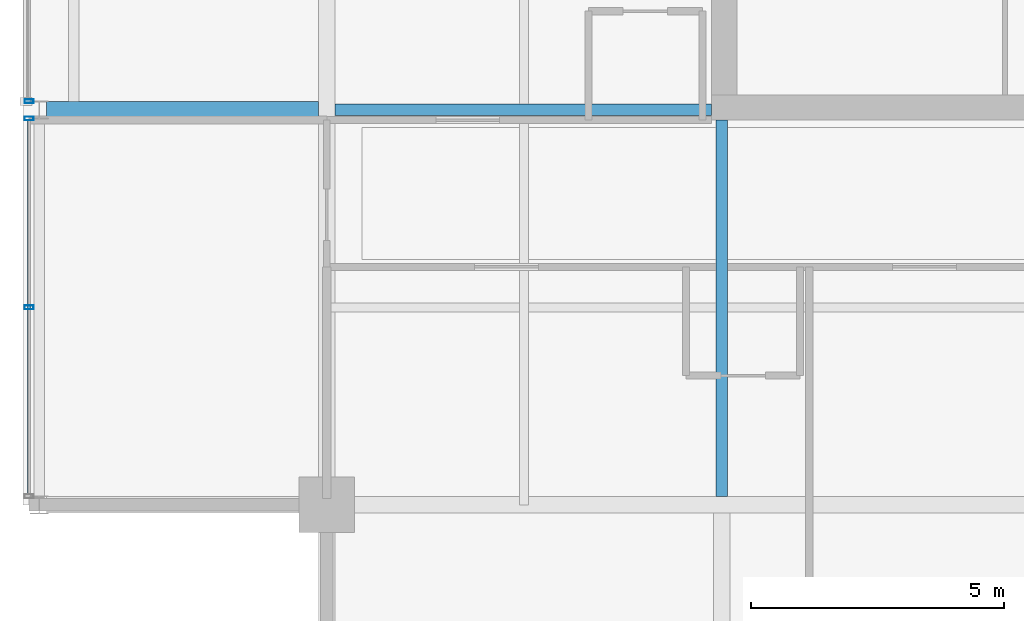
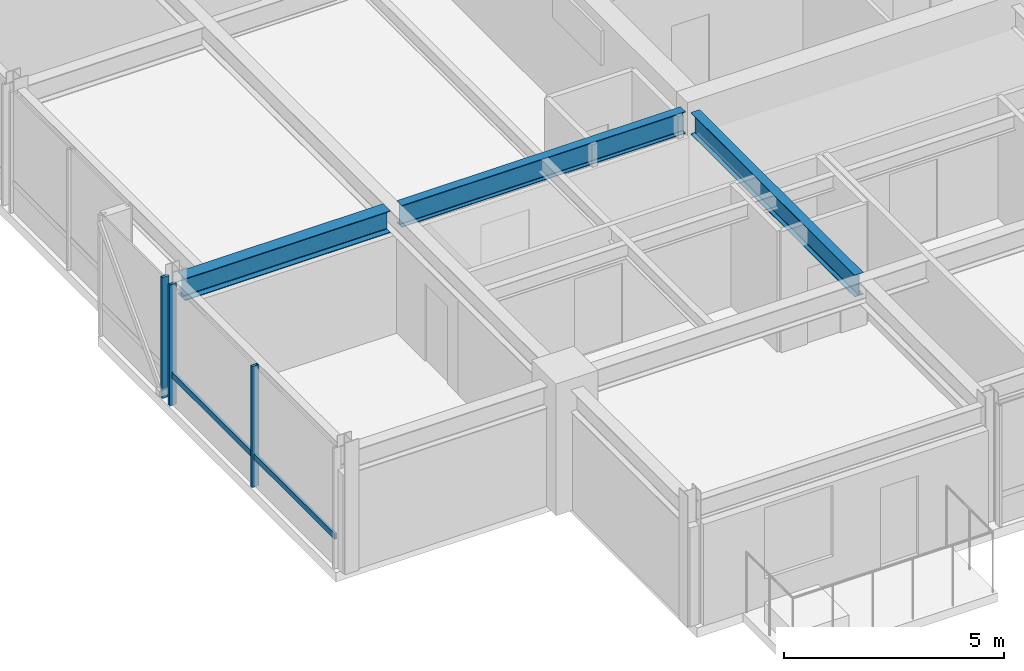
# One storey, part 6 of 34: 4 members, 3 beams, 2 elements without a shape of their own.
"""IFC4 building model written with IfcOpenShell, lengths in metres."""

from ifc_helpers import new_model, si_unit, direction, frame, origin, origin_2d, place, context, subcontext, project, spatial, hollow_rectangle, i_section, extrude, material, layer, layer_set, material_profile, profile_set, type_object, element, aggregate, save


model = new_model("IFC4")

# Units and contexts
model_context = context("Model", 3, precision=1e-05, world=origin(), true_north=direction((0.0, 1.0)))
body_context = subcontext(model_context, "Body", "Model", "MODEL_VIEW")
ifc_project = project(units=[si_unit("LENGTHUNIT", "METRE"), si_unit("AREAUNIT", "SQUARE_METRE"), si_unit("VOLUMEUNIT", "CUBIC_METRE"), si_unit("PLANEANGLEUNIT", "RADIAN"), si_unit("MASSUNIT", "GRAM", prefix="KILO")], contexts=[model_context])

# Site, building, storey
site_placement = place(None, origin())
site = spatial("IfcSite", under=ifc_project, at=site_placement, CompositionType="ELEMENT")
building_placement = place(site_placement, origin())
building = spatial("IfcBuilding", under=site, at=building_placement, Name="Drelvath Grand Hotel", CompositionType="ELEMENT")
storey_placement = place(building_placement, frame((0.0, 0.0, 290.550048828125)))
storey = spatial("IfcBuildingStorey", under=building, at=storey_placement, Name="L76", CompositionType="ELEMENT", Elevation=290.550048828125)

# Curtain wall, members
ifc_material_1 = material(Name="Platinum-Mist Anodised Aluminium Frame", Category="aluminium")
ifc_layer = layer(ifc_material_1, 0.199951171875)
ifc_layer_set = layer_set([ifc_layer], Name="Platinum-Mist Anodised Aluminium Frame")
curtain_wall_type = type_object("IfcCurtainWallType", Name="Stick Curtain Wall CW-05 Platinum Mist High-Rise", PredefinedType="NOTDEFINED", material=ifc_layer_set)
curtain_wall_1_placement = place(storey_placement, origin())
curtain_wall_1 = element("IfcCurtainWall", 1, at=curtain_wall_1_placement, inside=storey, type_object=curtain_wall_type, Name="L76 CW-05 Curtain Wall CW05-L76-WS1", PredefinedType="NOTDEFINED")
ifc_material_profile_1 = material_profile(ifc_material_1, hollow_rectangle(XDim=0.06494140625, YDim=0.159912109375, WallThickness=0.00390625, at=origin_2d()), Name="HSS160X65X4")
ifc_profile_set_1 = profile_set([ifc_material_profile_1], Name="Platinum-Mist Anodised Aluminium Frame")
member_type_1 = type_object("IfcMemberType", Name="Curtain Wall Horizontal Transom CW-05 HSS160X65X4", PredefinedType="USERDEFINED", material=ifc_profile_set_1)
member_1_placement = place(storey_placement, frame((-22.080078125, 11.010009765625, 0.83740234375), z_axis=(0.0, 1.0, 0.0), x_axis=(-1.0, 0.0, 0.0)))
member_1 = element("IfcMember", 2, at=member_1_placement, type_object=member_type_1, Name="CW05-L76-WS1 Sill Transom", ObjectType="TRANSOM", PredefinedType="USERDEFINED", context=body_context, shape_type="SweptSolid", body=[
    extrude(hollow_rectangle(XDim=0.06494140625, YDim=0.159912109375, WallThickness=0.00390625, at=origin_2d()), origin(), (0.0, 0.0, 1.0), 7.3798828125),
])
ifc_material_profile_2 = material_profile(ifc_material_1, hollow_rectangle(XDim=0.074951171875, YDim=0.179931640625, WallThickness=0.0048828125, at=origin_2d()), Name="HSS180X75X5")
ifc_profile_set_2 = profile_set([ifc_material_profile_2], Name="Platinum-Mist Anodised Aluminium Frame")
member_type_2 = type_object("IfcMemberType", Name="Curtain Wall Vertical Mullion CW-05 HSS180X75X5", PredefinedType="MULLION", material=ifc_profile_set_2)
member_2_placement = place(storey_placement, frame((-22.080078125, 14.7001953125, 0.0), z_axis=(0.0, 0.0, 1.0), x_axis=(0.0, 1.0, 0.0)))
member_2 = element("IfcMember", 3, at=member_2_placement, type_object=member_type_2, Name="CW05-L76-WS1 Mullion 2", PredefinedType="MULLION", context=body_context, shape_type="SweptSolid", body=[
    extrude(hollow_rectangle(XDim=0.074951171875, YDim=0.179931640625, WallThickness=0.0048828125, at=origin_2d()), origin(), (0.0, 0.0, 1.0), 3.349853515625),
])
member_3_placement = place(storey_placement, frame((-22.080078125, 18.429931640625, 0.0), z_axis=(0.0, 0.0, 1.0), x_axis=(0.0, 1.0, 0.0)))
member_3 = element("IfcMember", 4, at=member_3_placement, type_object=member_type_2, Name="CW05-L76-WS1 Mullion 3", PredefinedType="MULLION", context=body_context, shape_type="SweptSolid", body=[
    extrude(hollow_rectangle(XDim=0.074951171875, YDim=0.179931640625, WallThickness=0.0048828125, at=origin_2d()), origin(), (0.0, 0.0, 1.0), 3.349853515625),
])
aggregate(curtain_wall_1, [member_2, member_3, member_1])

# Curtain wall, member
curtain_wall_2_placement = place(storey_placement, origin())
curtain_wall_2 = element("IfcCurtainWall", 5, at=curtain_wall_2_placement, inside=storey, type_object=curtain_wall_type, Name="L76 CW-05 Curtain Wall CW05-L76-WS2", PredefinedType="NOTDEFINED")
member_4_placement = place(storey_placement, frame((-22.080078125, 18.77001953125, 0.0), z_axis=(0.0, 0.0, 1.0), x_axis=(0.0, 1.0, 0.0)))
member_4 = element("IfcMember", 6, at=member_4_placement, type_object=member_type_2, Name="CW05-L76-WS2 Mullion 1", PredefinedType="MULLION", context=body_context, shape_type="SweptSolid", body=[
    extrude(hollow_rectangle(XDim=0.074951171875, YDim=0.179931640625, WallThickness=0.0048828125, at=origin_2d()), origin(), (0.0, 0.0, 1.0), 3.349853515625),
])
aggregate(curtain_wall_2, [member_4])

# Beams
ifc_material_2 = material(Name="Steel ASTM A992 Gr 50", Category="steel")
ifc_material_profile_3 = material_profile(ifc_material_2, i_section(OverallWidth=0.323974609375, OverallDepth=0.611083984375, WebThickness=0.0126953125, FlangeThickness=0.01904296875, FilletRadius=0.02197265625, at=origin_2d()), Name="W24X104")
ifc_profile_set_3 = profile_set([ifc_material_profile_3], Name="Steel ASTM A992 Gr 50")
beam_type_1 = type_object("IfcBeamType", Name="Primary Floor Girder W24X104", PredefinedType="BEAM", material=ifc_profile_set_3)
beam_placement = place(storey_placement, frame((-21.739990234375, 18.60009765625, 3.04443359375), z_axis=(1.0, 0.0, 0.0), x_axis=(0.0, 1.0, 0.0)))
element("IfcBeam", 7, at=beam_placement, inside=storey, type_object=beam_type_1, Name="L76 West Wing Girder D", PredefinedType="BEAM", context=body_context, shape_type="SweptSolid", body=[
    extrude(i_section(OverallWidth=0.323974609375, OverallDepth=0.611083984375, WebThickness=0.0126953125, FlangeThickness=0.01904296875, FilletRadius=0.02197265625, at=origin_2d()), origin(), (0.0, 0.0, 1.0), 5.3779296875),
])
ifc_material_profile_4 = material_profile(ifc_material_2, i_section(OverallWidth=0.228271484375, OverallDepth=0.607666015625, WebThickness=0.01123046875, FlangeThickness=0.017333984375, FilletRadius=0.02001953125, at=origin_2d()), Name="W24X76")
ifc_profile_set_4 = profile_set([ifc_material_profile_4], Name="Steel ASTM A992 Gr 50")
beam_type_2 = type_object("IfcBeamType", Name="Primary Floor Girder W24X76", PredefinedType="BEAM", material=ifc_profile_set_4)
for number, where, z_axis, x_axis, name in (
    (8, (-16.0380859375, 18.60009765625, 3.046142578125), (1.0, 0.0, 0.0), (0.0, 1.0, 0.0), "L76 West Core Tie D"),
    (9, (-8.39990234375, 10.9619140625, 3.046142578125), (0.0, 1.0, 0.0), (-1.0, 0.0, 0.0), "L76 South Core Tie 4"),
):
    element("IfcBeam", number, at=place(storey_placement, frame(where, z_axis=z_axis, x_axis=x_axis)), inside=storey, type_object=beam_type_2, Name=name, PredefinedType="BEAM", context=body_context, shape_type="SweptSolid", body=[
        extrude(i_section(OverallWidth=0.228271484375, OverallDepth=0.607666015625, WebThickness=0.01123046875, FlangeThickness=0.017333984375, FilletRadius=0.02001953125, at=origin_2d()), origin(), (0.0, 0.0, 1.0), 7.43798828125),
    ])

save(model, "model.ifc")
